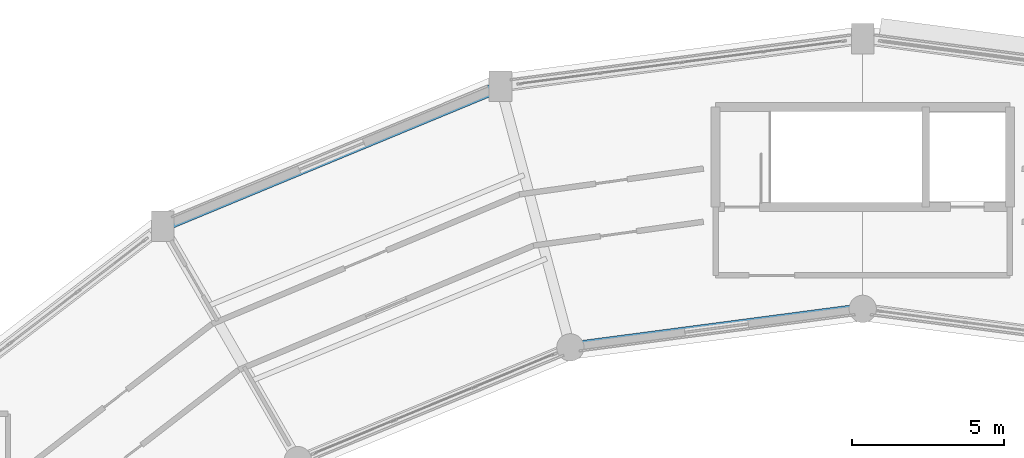
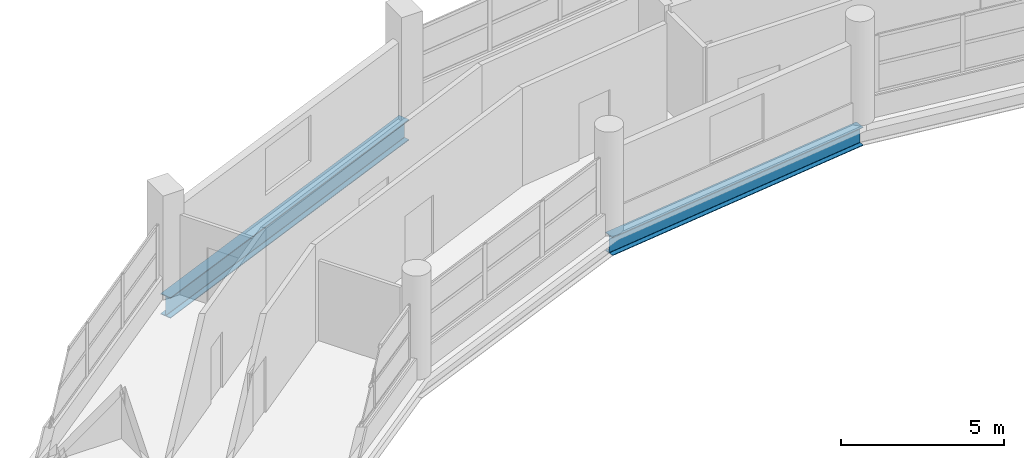
# One storey, part 29 of 53: 2 beams.
"""IFC4 building model written with IfcOpenShell, lengths in metres."""

from ifc_helpers import new_model, si_unit, direction, frame, origin, origin_2d, place, context, subcontext, project, spatial, i_section, extrude, material, material_profile, profile_set, type_object, element, save


model = new_model("IFC4")

# Units and contexts
model_context = context("Model", 3, precision=1e-05, world=origin(), true_north=direction((0.0, 1.0)))
body_context = subcontext(model_context, "Body", "Model", "MODEL_VIEW")
ifc_project = project(units=[si_unit("LENGTHUNIT", "METRE"), si_unit("AREAUNIT", "SQUARE_METRE"), si_unit("VOLUMEUNIT", "CUBIC_METRE"), si_unit("PLANEANGLEUNIT", "RADIAN"), si_unit("MASSUNIT", "GRAM", prefix="KILO")], contexts=[model_context])

# Site, building, storey
site_placement = place(None, origin())
site = spatial("IfcSite", under=ifc_project, at=site_placement, CompositionType="ELEMENT")
building_placement = place(site_placement, origin())
building = spatial("IfcBuilding", under=site, at=building_placement, Name="Vespera Passage Community Centre", CompositionType="ELEMENT")
storey_placement = place(building_placement, frame((0.0, 0.0, 20.39990234375)))
storey = spatial("IfcBuildingStorey", under=building, at=storey_placement, Name="L05", CompositionType="ELEMENT", Elevation=20.39990234375)

# Beams
ifc_material_1 = material(Name="Steel ASTM A992 Grade 50", Category="steel")
ifc_material_profile_1 = material_profile(ifc_material_1, i_section(OverallWidth=0.3544921875, OverallDepth=0.695556640625, WebThickness=0.015380859375, FlangeThickness=0.024658203125, FilletRadius=0.01513671875, at=origin_2d()), Name="W27X146")
ifc_profile_set_1 = profile_set([ifc_material_profile_1], Name="Steel ASTM A992 Grade 50")
beam_type_1 = type_object("IfcBeamType", Name="BM-SP-W27X146E", PredefinedType="SPANDREL", material=ifc_profile_set_1)
beam_1_placement = place(storey_placement, frame((78.0, 102.699951171875, -0.607666015625), z_axis=(-0.991444794834, -0.130526697639, 0.0), x_axis=(0.130526697639, -0.991444794834, 0.0)))
element("IfcBeam", 1, at=beam_1_placement, inside=storey, type_object=beam_type_1, Name="V4 L05 Inner Spandrel 6", PredefinedType="SPANDREL", context=body_context, shape_type="SweptSolid", body=[
    extrude(i_section(OverallWidth=0.3544921875, OverallDepth=0.695556640625, WebThickness=0.015380859375, FlangeThickness=0.024658203125, FilletRadius=0.01513671875, at=origin_2d()), origin(), (0.0, 0.0, 1.0), 9.711181640625),
])
ifc_material_2 = material(Name="Steel ASTM A992 Grade 50", Category="steel")
ifc_material_profile_2 = material_profile(ifc_material_2, i_section(OverallWidth=0.382080078125, OverallDepth=0.779296875, WebThickness=0.01806640625, FlangeThickness=0.030029296875, FilletRadius=0.0166015625, at=origin_2d()), Name="W30X191")
ifc_profile_set_2 = profile_set([ifc_material_profile_2], Name="Steel ASTM A992 Grade 50")
beam_type_2 = type_object("IfcBeamType", Name="BM-SP-W30X191E", PredefinedType="SPANDREL", material=ifc_profile_set_2)
beam_2_placement = place(storey_placement, frame((66.068359375, 110.029296875, -0.649658203125), z_axis=(-0.923877379647, -0.382688629799, 0.0), x_axis=(0.382688629799, -0.923877379647, 0.0)))
element("IfcBeam", 2, at=beam_2_placement, inside=storey, type_object=beam_type_2, Name="V4 L05 Outer Spandrel 7", PredefinedType="SPANDREL", context=body_context, shape_type="SweptSolid", body=[
    extrude(i_section(OverallWidth=0.382080078125, OverallDepth=0.779296875, WebThickness=0.01806640625, FlangeThickness=0.030029296875, FilletRadius=0.0166015625, at=origin_2d()), origin(), (0.0, 0.0, 1.0), 12.034423828125),
])

save(model, "model.ifc")
